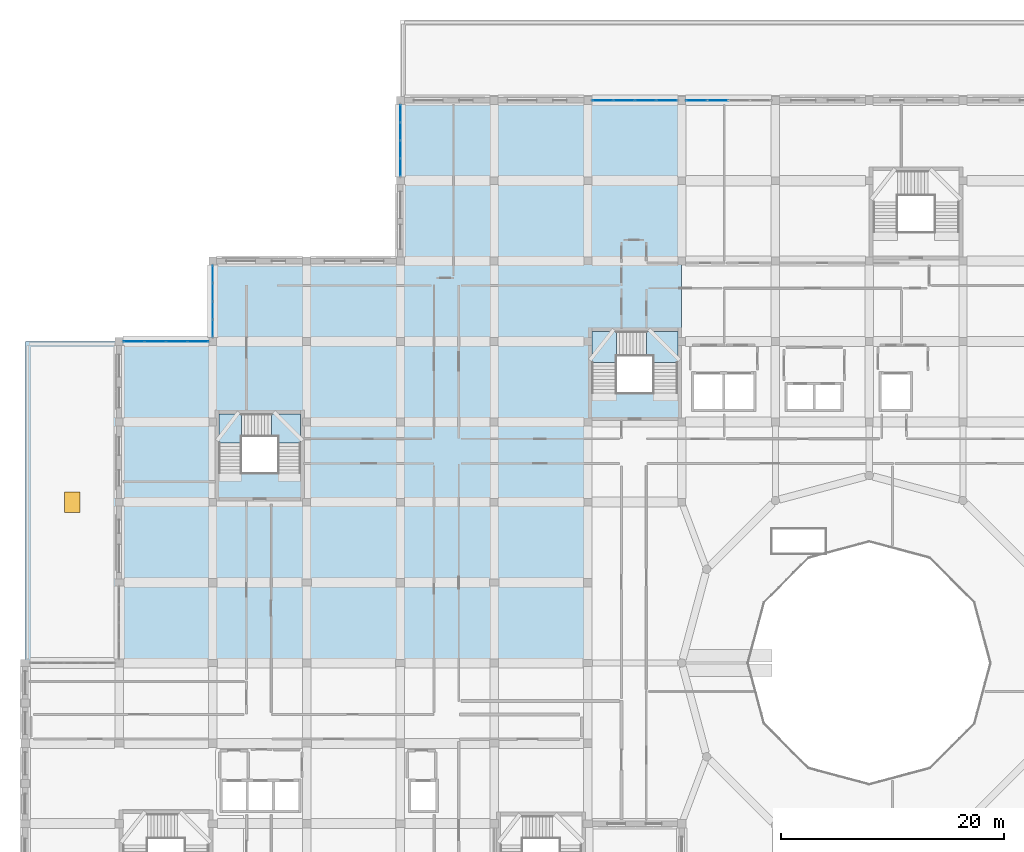
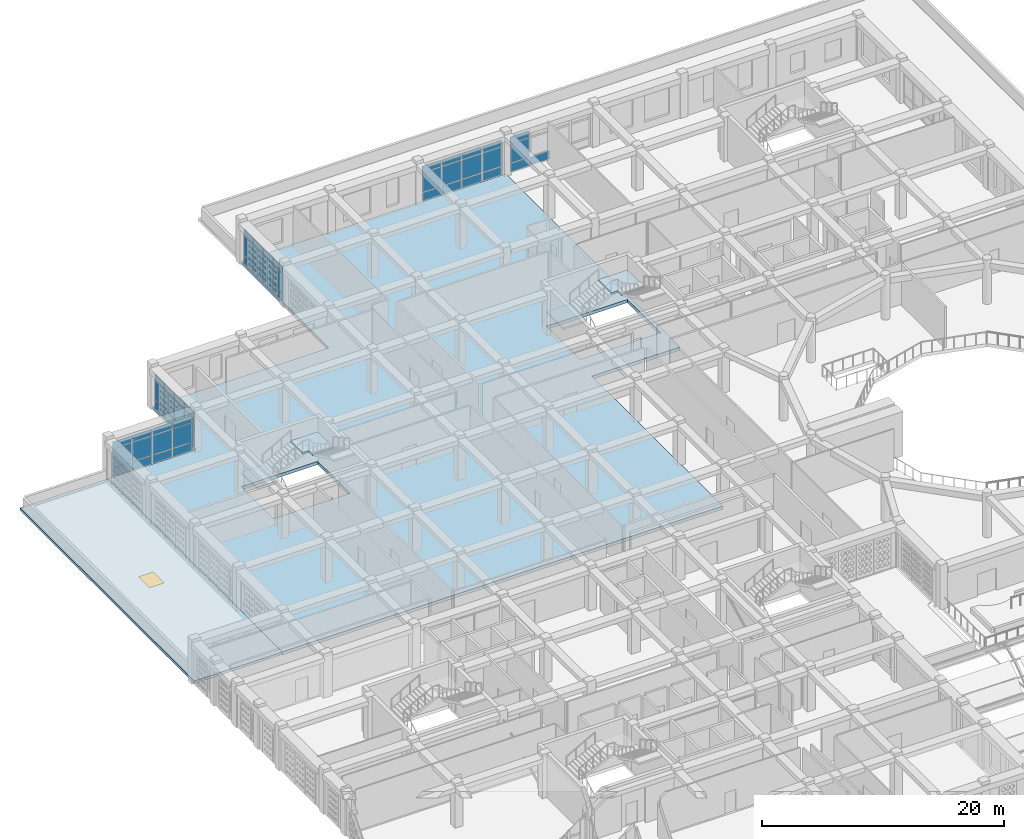
# One storey, part 44 of 100: 52 plates, 6 slabs, 1 window, 1 opening, 7 elements without a shape of their own.
"""IFC4 building model written with IfcOpenShell, lengths in metres."""

from ifc_helpers import new_model, si_unit, derived_unit, direction, frame, origin, origin_2d, place, context, subcontext, project, spatial, polyline, rectangle, outline, extrude, material, layer, layer_set, type_object, element, fill, aggregate, save


model = new_model("IFC4")

# Units and contexts
model_context = context("Model", 3, precision=1e-05, world=origin(), true_north=direction((0.0, 1.0)))
body_context = subcontext(model_context, "Body", "Model", "MODEL_VIEW")
ifc_project = project(units=[si_unit("LENGTHUNIT", "METRE"), si_unit("AREAUNIT", "SQUARE_METRE"), si_unit("VOLUMEUNIT", "CUBIC_METRE"), si_unit("PLANEANGLEUNIT", "RADIAN"), si_unit("MASSUNIT", "GRAM", prefix="KILO"), derived_unit("THERMALTRANSMITTANCEUNIT", [(si_unit("POWERUNIT", "WATT"), 1), (si_unit("LENGTHUNIT", "METRE"), -2), (si_unit("THERMODYNAMICTEMPERATUREUNIT", "KELVIN"), -1)])], contexts=[model_context])

# Site, building, storey
site_placement = place(None, origin())
site = spatial("IfcSite", under=ifc_project, at=site_placement, CompositionType="ELEMENT")
building_placement = place(site_placement, origin())
building = spatial("IfcBuilding", under=site, at=building_placement, Name="Veybourne Emporium", CompositionType="ELEMENT")
storey_placement = place(building_placement, frame((0.0, 0.0, 14.39990234375)))
storey = spatial("IfcBuildingStorey", under=building, at=storey_placement, Name="L03", CompositionType="ELEMENT", Elevation=14.39990234375)

# Curtain wall, plates
ifc_material_1 = material(Name="Patinated Architectural Bronze", Category="bronze")
curtain_wall_type_1 = type_object("IfcCurtainWallType", Name="CWSystem_CWS-09", PredefinedType="NOTDEFINED", material=ifc_material_1)
curtain_wall_1_placement = place(storey_placement, origin())
curtain_wall_1 = element("IfcCurtainWall", 1, at=curtain_wall_1_placement, inside=storey, type_object=curtain_wall_type_1, Name="L03 bronze glazed curtain wall CWS-09 (012)", PredefinedType="NOTDEFINED")
ifc_material_2 = material(Name="Low-E Triple Glazing", Category="glass")
ifc_layer_1 = layer(ifc_material_2, 0.028076171875)
ifc_layer_set_1 = layer_set([ifc_layer_1], Name="Low-E Triple Glazing")
plate_type = type_object("IfcPlateType", Name="CWPanel_CW-P1", PredefinedType="CURTAIN_PANEL", material=ifc_layer_set_1)
plate_1_placement = place(storey_placement, frame((9.73046875, 79.199951171875, 0.072021484375), z_axis=(0.0, 0.0, 1.0), x_axis=(1.0, 0.0, 0.0)))
plate_1 = element("IfcPlate", 2, at=plate_1_placement, type_object=plate_type, Name="CWS-09 panel 1.1", PredefinedType="CURTAIN_PANEL", context=body_context, shape_type="SweptSolid", body=[
    extrude(rectangle(XDim=1.81689453125, YDim=0.028076171875, at=origin_2d()), origin(), (0.0, 0.0, 1.0), 0.7919921875),
])
plate_2_placement = place(storey_placement, frame((9.73046875, 79.199951171875, 0.93603515625), z_axis=(0.0, 0.0, 1.0), x_axis=(1.0, 0.0, 0.0)))
plate_2 = element("IfcPlate", 3, at=plate_2_placement, type_object=plate_type, Name="CWS-09 panel 1.2", PredefinedType="CURTAIN_PANEL", context=body_context, shape_type="SweptSolid", body=[
    extrude(rectangle(XDim=1.81689453125, YDim=0.028076171875, at=origin_2d()), origin(), (0.0, 0.0, 1.0), 1.907958984375),
])
plate_3_placement = place(storey_placement, frame((9.73046875, 79.199951171875, 2.916015625), z_axis=(0.0, 0.0, 1.0), x_axis=(1.0, 0.0, 0.0)))
plate_3 = element("IfcPlate", 4, at=plate_3_placement, type_object=plate_type, Name="CWS-09 panel 1.3", PredefinedType="CURTAIN_PANEL", context=body_context, shape_type="SweptSolid", body=[
    extrude(rectangle(XDim=1.81689453125, YDim=0.028076171875, at=origin_2d()), origin(), (0.0, 0.0, 1.0), 0.64208984375),
])
plate_4_placement = place(storey_placement, frame((11.637451171875, 79.199951171875, 0.072021484375), z_axis=(0.0, 0.0, 1.0), x_axis=(1.0, 0.0, 0.0)))
plate_4 = element("IfcPlate", 5, at=plate_4_placement, type_object=plate_type, Name="CWS-09 panel 2.1", PredefinedType="CURTAIN_PANEL", context=body_context, shape_type="SweptSolid", body=[
    extrude(rectangle(XDim=1.85302734375, YDim=0.028076171875, at=origin_2d()), origin(), (0.0, 0.0, 1.0), 0.7919921875),
])
plate_5_placement = place(storey_placement, frame((11.637451171875, 79.199951171875, 0.93603515625), z_axis=(0.0, 0.0, 1.0), x_axis=(1.0, 0.0, 0.0)))
plate_5 = element("IfcPlate", 6, at=plate_5_placement, type_object=plate_type, Name="CWS-09 panel 2.2", PredefinedType="CURTAIN_PANEL", context=body_context, shape_type="SweptSolid", body=[
    extrude(rectangle(XDim=1.85302734375, YDim=0.028076171875, at=origin_2d()), origin(), (0.0, 0.0, 1.0), 1.907958984375),
])
plate_6_placement = place(storey_placement, frame((11.637451171875, 79.199951171875, 2.916015625), z_axis=(0.0, 0.0, 1.0), x_axis=(1.0, 0.0, 0.0)))
plate_6 = element("IfcPlate", 7, at=plate_6_placement, type_object=plate_type, Name="CWS-09 panel 2.3", PredefinedType="CURTAIN_PANEL", context=body_context, shape_type="SweptSolid", body=[
    extrude(rectangle(XDim=1.85302734375, YDim=0.028076171875, at=origin_2d()), origin(), (0.0, 0.0, 1.0), 0.64208984375),
])
plate_7_placement = place(storey_placement, frame((13.5625, 79.199951171875, 0.072021484375), z_axis=(0.0, 0.0, 1.0), x_axis=(1.0, 0.0, 0.0)))
plate_7 = element("IfcPlate", 8, at=plate_7_placement, type_object=plate_type, Name="CWS-09 panel 3.1", PredefinedType="CURTAIN_PANEL", context=body_context, shape_type="SweptSolid", body=[
    extrude(rectangle(XDim=1.85302734375, YDim=0.028076171875, at=origin_2d()), origin(), (0.0, 0.0, 1.0), 0.7919921875),
])
plate_8_placement = place(storey_placement, frame((13.5625, 79.199951171875, 0.93603515625), z_axis=(0.0, 0.0, 1.0), x_axis=(1.0, 0.0, 0.0)))
plate_8 = element("IfcPlate", 9, at=plate_8_placement, type_object=plate_type, Name="CWS-09 panel 3.2", PredefinedType="CURTAIN_PANEL", context=body_context, shape_type="SweptSolid", body=[
    extrude(rectangle(XDim=1.85302734375, YDim=0.028076171875, at=origin_2d()), origin(), (0.0, 0.0, 1.0), 1.907958984375),
])
plate_9_placement = place(storey_placement, frame((13.5625, 79.199951171875, 2.916015625), z_axis=(0.0, 0.0, 1.0), x_axis=(1.0, 0.0, 0.0)))
plate_9 = element("IfcPlate", 10, at=plate_9_placement, type_object=plate_type, Name="CWS-09 panel 3.3", PredefinedType="CURTAIN_PANEL", context=body_context, shape_type="SweptSolid", body=[
    extrude(rectangle(XDim=1.85302734375, YDim=0.028076171875, at=origin_2d()), origin(), (0.0, 0.0, 1.0), 0.64208984375),
])
plate_10_placement = place(storey_placement, frame((15.469482421875, 79.199951171875, 0.072021484375), z_axis=(0.0, 0.0, 1.0), x_axis=(1.0, 0.0, 0.0)))
plate_10 = element("IfcPlate", 11, at=plate_10_placement, type_object=plate_type, Name="CWS-09 panel 4.1", PredefinedType="CURTAIN_PANEL", context=body_context, shape_type="SweptSolid", body=[
    extrude(rectangle(XDim=1.81689453125, YDim=0.028076171875, at=origin_2d()), origin(), (0.0, 0.0, 1.0), 0.7919921875),
])
plate_11_placement = place(storey_placement, frame((15.469482421875, 79.199951171875, 0.93603515625), z_axis=(0.0, 0.0, 1.0), x_axis=(1.0, 0.0, 0.0)))
plate_11 = element("IfcPlate", 12, at=plate_11_placement, type_object=plate_type, Name="CWS-09 panel 4.2", PredefinedType="CURTAIN_PANEL", context=body_context, shape_type="SweptSolid", body=[
    extrude(rectangle(XDim=1.81689453125, YDim=0.028076171875, at=origin_2d()), origin(), (0.0, 0.0, 1.0), 1.907958984375),
])
plate_12_placement = place(storey_placement, frame((15.469482421875, 79.199951171875, 2.916015625), z_axis=(0.0, 0.0, 1.0), x_axis=(1.0, 0.0, 0.0)))
plate_12 = element("IfcPlate", 13, at=plate_12_placement, type_object=plate_type, Name="CWS-09 panel 4.3", PredefinedType="CURTAIN_PANEL", context=body_context, shape_type="SweptSolid", body=[
    extrude(rectangle(XDim=1.81689453125, YDim=0.028076171875, at=origin_2d()), origin(), (0.0, 0.0, 1.0), 0.64208984375),
])
aggregate(curtain_wall_1, [plate_1, plate_2, plate_3, plate_4, plate_5, plate_6, plate_7, plate_8, plate_9, plate_10, plate_11, plate_12])

curtain_wall_type_2 = type_object("IfcCurtainWallType", Name="CWSystem_CWS-12", PredefinedType="NOTDEFINED", material=ifc_material_1)
curtain_wall_2_placement = place(storey_placement, origin())
curtain_wall_2 = element("IfcCurtainWall", 14, at=curtain_wall_2_placement, inside=storey, type_object=curtain_wall_type_2, Name="L03 bronze glazed curtain wall CWS-12 (018)", PredefinedType="NOTDEFINED")
plate_13_placement = place(storey_placement, frame((16.800048828125, 80.3798828125, 0.070068359375), z_axis=(0.0, 0.0, 1.0), x_axis=(0.0, 1.0, 0.0)))
plate_13 = element("IfcPlate", 15, at=plate_13_placement, type_object=plate_type, Name="CWS-12 panel 1.1", PredefinedType="CURTAIN_PANEL", context=body_context, shape_type="SweptSolid", body=[
    extrude(rectangle(XDim=1.52001953125, YDim=0.028076171875, at=origin_2d()), origin(), (0.0, 0.0, 1.0), 0.794921875),
])
plate_14_placement = place(storey_placement, frame((16.800048828125, 80.3798828125, 0.93505859375), z_axis=(0.0, 0.0, 1.0), x_axis=(0.0, 1.0, 0.0)))
plate_14 = element("IfcPlate", 16, at=plate_14_placement, type_object=plate_type, Name="CWS-12 panel 1.2", PredefinedType="CURTAIN_PANEL", context=body_context, shape_type="SweptSolid", body=[
    extrude(rectangle(XDim=1.52001953125, YDim=0.028076171875, at=origin_2d()), origin(), (0.0, 0.0, 1.0), 1.909912109375),
])
plate_15_placement = place(storey_placement, frame((16.800048828125, 80.3798828125, 2.9150390625), z_axis=(0.0, 0.0, 1.0), x_axis=(0.0, 1.0, 0.0)))
plate_15 = element("IfcPlate", 17, at=plate_15_placement, type_object=plate_type, Name="CWS-12 panel 1.3", PredefinedType="CURTAIN_PANEL", context=body_context, shape_type="SweptSolid", body=[
    extrude(rectangle(XDim=1.52001953125, YDim=0.028076171875, at=origin_2d()), origin(), (0.0, 0.0, 1.0), 0.64501953125),
])
plate_16_placement = place(storey_placement, frame((16.800048828125, 81.987548828125, 0.070068359375), z_axis=(0.0, 0.0, 1.0), x_axis=(0.0, 1.0, 0.0)))
plate_16 = element("IfcPlate", 18, at=plate_16_placement, type_object=plate_type, Name="CWS-12 panel 2.1", PredefinedType="CURTAIN_PANEL", context=body_context, shape_type="SweptSolid", body=[
    extrude(rectangle(XDim=1.554931640625, YDim=0.028076171875, at=origin_2d()), origin(), (0.0, 0.0, 1.0), 0.794921875),
])
plate_17_placement = place(storey_placement, frame((16.800048828125, 81.987548828125, 0.93505859375), z_axis=(0.0, 0.0, 1.0), x_axis=(0.0, 1.0, 0.0)))
plate_17 = element("IfcPlate", 19, at=plate_17_placement, type_object=plate_type, Name="CWS-12 panel 2.2", PredefinedType="CURTAIN_PANEL", context=body_context, shape_type="SweptSolid", body=[
    extrude(rectangle(XDim=1.554931640625, YDim=0.028076171875, at=origin_2d()), origin(), (0.0, 0.0, 1.0), 1.909912109375),
])
plate_18_placement = place(storey_placement, frame((16.800048828125, 81.987548828125, 2.9150390625), z_axis=(0.0, 0.0, 1.0), x_axis=(0.0, 1.0, 0.0)))
plate_18 = element("IfcPlate", 20, at=plate_18_placement, type_object=plate_type, Name="CWS-12 panel 2.3", PredefinedType="CURTAIN_PANEL", context=body_context, shape_type="SweptSolid", body=[
    extrude(rectangle(XDim=1.554931640625, YDim=0.028076171875, at=origin_2d()), origin(), (0.0, 0.0, 1.0), 0.64501953125),
])
plate_19_placement = place(storey_placement, frame((16.800048828125, 83.612548828125, 0.070068359375), z_axis=(0.0, 0.0, 1.0), x_axis=(0.0, 1.0, 0.0)))
plate_19 = element("IfcPlate", 21, at=plate_19_placement, type_object=plate_type, Name="CWS-12 panel 3.1", PredefinedType="CURTAIN_PANEL", context=body_context, shape_type="SweptSolid", body=[
    extrude(rectangle(XDim=1.554931640625, YDim=0.028076171875, at=origin_2d()), origin(), (0.0, 0.0, 1.0), 0.794921875),
])
plate_20_placement = place(storey_placement, frame((16.800048828125, 83.612548828125, 0.93505859375), z_axis=(0.0, 0.0, 1.0), x_axis=(0.0, 1.0, 0.0)))
plate_20 = element("IfcPlate", 22, at=plate_20_placement, type_object=plate_type, Name="CWS-12 panel 3.2", PredefinedType="CURTAIN_PANEL", context=body_context, shape_type="SweptSolid", body=[
    extrude(rectangle(XDim=1.554931640625, YDim=0.028076171875, at=origin_2d()), origin(), (0.0, 0.0, 1.0), 1.909912109375),
])
plate_21_placement = place(storey_placement, frame((16.800048828125, 83.612548828125, 2.9150390625), z_axis=(0.0, 0.0, 1.0), x_axis=(0.0, 1.0, 0.0)))
plate_21 = element("IfcPlate", 23, at=plate_21_placement, type_object=plate_type, Name="CWS-12 panel 3.3", PredefinedType="CURTAIN_PANEL", context=body_context, shape_type="SweptSolid", body=[
    extrude(rectangle(XDim=1.554931640625, YDim=0.028076171875, at=origin_2d()), origin(), (0.0, 0.0, 1.0), 0.64501953125),
])
plate_22_placement = place(storey_placement, frame((16.800048828125, 85.219970703125, 0.070068359375), z_axis=(0.0, 0.0, 1.0), x_axis=(0.0, 1.0, 0.0)))
plate_22 = element("IfcPlate", 24, at=plate_22_placement, type_object=plate_type, Name="CWS-12 panel 4.1", PredefinedType="CURTAIN_PANEL", context=body_context, shape_type="SweptSolid", body=[
    extrude(rectangle(XDim=1.52001953125, YDim=0.028076171875, at=origin_2d()), origin(), (0.0, 0.0, 1.0), 0.794921875),
])
plate_23_placement = place(storey_placement, frame((16.800048828125, 85.219970703125, 0.93505859375), z_axis=(0.0, 0.0, 1.0), x_axis=(0.0, 1.0, 0.0)))
plate_23 = element("IfcPlate", 25, at=plate_23_placement, type_object=plate_type, Name="CWS-12 panel 4.2", PredefinedType="CURTAIN_PANEL", context=body_context, shape_type="SweptSolid", body=[
    extrude(rectangle(XDim=1.52001953125, YDim=0.028076171875, at=origin_2d()), origin(), (0.0, 0.0, 1.0), 1.909912109375),
])
plate_24_placement = place(storey_placement, frame((16.800048828125, 85.219970703125, 2.9150390625), z_axis=(0.0, 0.0, 1.0), x_axis=(0.0, 1.0, 0.0)))
plate_24 = element("IfcPlate", 26, at=plate_24_placement, type_object=plate_type, Name="CWS-12 panel 4.3", PredefinedType="CURTAIN_PANEL", context=body_context, shape_type="SweptSolid", body=[
    extrude(rectangle(XDim=1.52001953125, YDim=0.028076171875, at=origin_2d()), origin(), (0.0, 0.0, 1.0), 0.64501953125),
])
aggregate(curtain_wall_2, [plate_13, plate_14, plate_15, plate_16, plate_17, plate_18, plate_19, plate_20, plate_21, plate_22, plate_23, plate_24])

curtain_wall_type_3 = type_object("IfcCurtainWallType", Name="CWSystem_CWS-14", PredefinedType="NOTDEFINED", material=ifc_material_1)
curtain_wall_3_placement = place(storey_placement, origin())
curtain_wall_3 = element("IfcCurtainWall", 27, at=curtain_wall_3_placement, inside=storey, type_object=curtain_wall_type_3, Name="L03 bronze glazed curtain wall CWS-14 (024)", PredefinedType="NOTDEFINED")
plate_25_placement = place(storey_placement, frame((33.60009765625, 94.78125, 0.074951171875), z_axis=(0.0, 0.0, 1.0), x_axis=(0.0, 1.0, 0.0)))
plate_25 = element("IfcPlate", 28, at=plate_25_placement, type_object=plate_type, Name="CWS-14 panel 1.1", PredefinedType="CURTAIN_PANEL", context=body_context, shape_type="SweptSolid", body=[
    extrude(rectangle(XDim=1.512451171875, YDim=0.028076171875, at=origin_2d()), origin(), (0.0, 0.0, 1.0), 0.78759765625),
])
plate_26_placement = place(storey_placement, frame((33.60009765625, 94.78125, 0.9375), z_axis=(0.0, 0.0, 1.0), x_axis=(0.0, 1.0, 0.0)))
plate_26 = element("IfcPlate", 29, at=plate_26_placement, type_object=plate_type, Name="CWS-14 panel 1.2", PredefinedType="CURTAIN_PANEL", context=body_context, shape_type="SweptSolid", body=[
    extrude(rectangle(XDim=1.512451171875, YDim=0.028076171875, at=origin_2d()), origin(), (0.0, 0.0, 1.0), 1.905029296875),
])
plate_27_placement = place(storey_placement, frame((33.60009765625, 94.78125, 2.91748046875), z_axis=(0.0, 0.0, 1.0), x_axis=(0.0, 1.0, 0.0)))
plate_27 = element("IfcPlate", 30, at=plate_27_placement, type_object=plate_type, Name="CWS-14 panel 1.3", PredefinedType="CURTAIN_PANEL", context=body_context, shape_type="SweptSolid", body=[
    extrude(rectangle(XDim=1.512451171875, YDim=0.028076171875, at=origin_2d()), origin(), (0.0, 0.0, 1.0), 0.637451171875),
])
plate_28_placement = place(storey_placement, frame((33.60009765625, 96.387451171875, 0.074951171875), z_axis=(0.0, 0.0, 1.0), x_axis=(0.0, 1.0, 0.0)))
plate_28 = element("IfcPlate", 31, at=plate_28_placement, type_object=plate_type, Name="CWS-14 panel 2.1", PredefinedType="CURTAIN_PANEL", context=body_context, shape_type="SweptSolid", body=[
    extrude(rectangle(XDim=1.550048828125, YDim=0.028076171875, at=origin_2d()), origin(), (0.0, 0.0, 1.0), 0.78759765625),
])
plate_29_placement = place(storey_placement, frame((33.60009765625, 96.387451171875, 0.9375), z_axis=(0.0, 0.0, 1.0), x_axis=(0.0, 1.0, 0.0)))
plate_29 = element("IfcPlate", 32, at=plate_29_placement, type_object=plate_type, Name="CWS-14 panel 2.2", PredefinedType="CURTAIN_PANEL", context=body_context, shape_type="SweptSolid", body=[
    extrude(rectangle(XDim=1.550048828125, YDim=0.028076171875, at=origin_2d()), origin(), (0.0, 0.0, 1.0), 1.905029296875),
])
plate_30_placement = place(storey_placement, frame((33.60009765625, 96.387451171875, 2.91748046875), z_axis=(0.0, 0.0, 1.0), x_axis=(0.0, 1.0, 0.0)))
plate_30 = element("IfcPlate", 33, at=plate_30_placement, type_object=plate_type, Name="CWS-14 panel 2.3", PredefinedType="CURTAIN_PANEL", context=body_context, shape_type="SweptSolid", body=[
    extrude(rectangle(XDim=1.550048828125, YDim=0.028076171875, at=origin_2d()), origin(), (0.0, 0.0, 1.0), 0.637451171875),
])
plate_31_placement = place(storey_placement, frame((33.60009765625, 98.012451171875, 0.074951171875), z_axis=(0.0, 0.0, 1.0), x_axis=(0.0, 1.0, 0.0)))
plate_31 = element("IfcPlate", 34, at=plate_31_placement, type_object=plate_type, Name="CWS-14 panel 3.1", PredefinedType="CURTAIN_PANEL", context=body_context, shape_type="SweptSolid", body=[
    extrude(rectangle(XDim=1.550048828125, YDim=0.028076171875, at=origin_2d()), origin(), (0.0, 0.0, 1.0), 0.78759765625),
])
plate_32_placement = place(storey_placement, frame((33.60009765625, 98.012451171875, 0.9375), z_axis=(0.0, 0.0, 1.0), x_axis=(0.0, 1.0, 0.0)))
plate_32 = element("IfcPlate", 35, at=plate_32_placement, type_object=plate_type, Name="CWS-14 panel 3.2", PredefinedType="CURTAIN_PANEL", context=body_context, shape_type="SweptSolid", body=[
    extrude(rectangle(XDim=1.550048828125, YDim=0.028076171875, at=origin_2d()), origin(), (0.0, 0.0, 1.0), 1.905029296875),
])
plate_33_placement = place(storey_placement, frame((33.60009765625, 98.012451171875, 2.91748046875), z_axis=(0.0, 0.0, 1.0), x_axis=(0.0, 1.0, 0.0)))
plate_33 = element("IfcPlate", 36, at=plate_33_placement, type_object=plate_type, Name="CWS-14 panel 3.3", PredefinedType="CURTAIN_PANEL", context=body_context, shape_type="SweptSolid", body=[
    extrude(rectangle(XDim=1.550048828125, YDim=0.028076171875, at=origin_2d()), origin(), (0.0, 0.0, 1.0), 0.637451171875),
])
plate_34_placement = place(storey_placement, frame((33.60009765625, 99.61865234375, 0.074951171875), z_axis=(0.0, 0.0, 1.0), x_axis=(0.0, 1.0, 0.0)))
plate_34 = element("IfcPlate", 37, at=plate_34_placement, type_object=plate_type, Name="CWS-14 panel 4.1", PredefinedType="CURTAIN_PANEL", context=body_context, shape_type="SweptSolid", body=[
    extrude(rectangle(XDim=1.512451171875, YDim=0.028076171875, at=origin_2d()), origin(), (0.0, 0.0, 1.0), 0.78759765625),
])
plate_35_placement = place(storey_placement, frame((33.60009765625, 99.61865234375, 0.9375), z_axis=(0.0, 0.0, 1.0), x_axis=(0.0, 1.0, 0.0)))
plate_35 = element("IfcPlate", 38, at=plate_35_placement, type_object=plate_type, Name="CWS-14 panel 4.2", PredefinedType="CURTAIN_PANEL", context=body_context, shape_type="SweptSolid", body=[
    extrude(rectangle(XDim=1.512451171875, YDim=0.028076171875, at=origin_2d()), origin(), (0.0, 0.0, 1.0), 1.905029296875),
])
plate_36_placement = place(storey_placement, frame((33.60009765625, 99.61865234375, 2.91748046875), z_axis=(0.0, 0.0, 1.0), x_axis=(0.0, 1.0, 0.0)))
plate_36 = element("IfcPlate", 39, at=plate_36_placement, type_object=plate_type, Name="CWS-14 panel 4.3", PredefinedType="CURTAIN_PANEL", context=body_context, shape_type="SweptSolid", body=[
    extrude(rectangle(XDim=1.512451171875, YDim=0.028076171875, at=origin_2d()), origin(), (0.0, 0.0, 1.0), 0.637451171875),
])
aggregate(curtain_wall_3, [plate_25, plate_26, plate_27, plate_28, plate_29, plate_30, plate_31, plate_32, plate_33, plate_34, plate_35, plate_36])

curtain_wall_type_4 = type_object("IfcCurtainWallType", Name="CWSystem_CWS-15", PredefinedType="NOTDEFINED", material=ifc_material_1)
curtain_wall_4_placement = place(storey_placement, origin())
curtain_wall_4 = element("IfcCurtainWall", 40, at=curtain_wall_4_placement, inside=storey, type_object=curtain_wall_type_4, Name="L03 bronze glazed curtain wall CWS-15 (033)", PredefinedType="NOTDEFINED")
plate_37_placement = place(storey_placement, frame((51.73193359375, 100.800048828125, 0.078125), z_axis=(0.0, 0.0, 1.0), x_axis=(1.0, 0.0, 0.0)))
plate_37 = element("IfcPlate", 41, at=plate_37_placement, type_object=plate_type, Name="CWS-15 panel 1.1", PredefinedType="CURTAIN_PANEL", context=body_context, shape_type="SweptSolid", body=[
    extrude(rectangle(XDim=1.80810546875, YDim=0.028076171875, at=origin_2d()), origin(), (0.0, 0.0, 1.0), 0.782958984375),
])
plate_38_placement = place(storey_placement, frame((51.73193359375, 100.800048828125, 0.93896484375), z_axis=(0.0, 0.0, 1.0), x_axis=(1.0, 0.0, 0.0)))
plate_38 = element("IfcPlate", 42, at=plate_38_placement, type_object=plate_type, Name="CWS-15 panel 1.2", PredefinedType="CURTAIN_PANEL", context=body_context, shape_type="SweptSolid", body=[
    extrude(rectangle(XDim=1.80810546875, YDim=0.028076171875, at=origin_2d()), origin(), (0.0, 0.0, 1.0), 1.902099609375),
])
plate_39_placement = place(storey_placement, frame((51.73193359375, 100.800048828125, 2.9189453125), z_axis=(0.0, 0.0, 1.0), x_axis=(1.0, 0.0, 0.0)))
plate_39 = element("IfcPlate", 43, at=plate_39_placement, type_object=plate_type, Name="CWS-15 panel 1.3", PredefinedType="CURTAIN_PANEL", context=body_context, shape_type="SweptSolid", body=[
    extrude(rectangle(XDim=1.80810546875, YDim=0.028076171875, at=origin_2d()), origin(), (0.0, 0.0, 1.0), 0.633056640625),
])
plate_40_placement = place(storey_placement, frame((53.637451171875, 100.800048828125, 0.078125), z_axis=(0.0, 0.0, 1.0), x_axis=(1.0, 0.0, 0.0)))
plate_40 = element("IfcPlate", 44, at=plate_40_placement, type_object=plate_type, Name="CWS-15 panel 2.1", PredefinedType="CURTAIN_PANEL", context=body_context, shape_type="SweptSolid", body=[
    extrude(rectangle(XDim=1.846923828125, YDim=0.028076171875, at=origin_2d()), origin(), (0.0, 0.0, 1.0), 0.782958984375),
])
plate_41_placement = place(storey_placement, frame((53.637451171875, 100.800048828125, 0.93896484375), z_axis=(0.0, 0.0, 1.0), x_axis=(1.0, 0.0, 0.0)))
plate_41 = element("IfcPlate", 45, at=plate_41_placement, type_object=plate_type, Name="CWS-15 panel 2.2", PredefinedType="CURTAIN_PANEL", context=body_context, shape_type="SweptSolid", body=[
    extrude(rectangle(XDim=1.846923828125, YDim=0.028076171875, at=origin_2d()), origin(), (0.0, 0.0, 1.0), 1.902099609375),
])
plate_42_placement = place(storey_placement, frame((53.637451171875, 100.800048828125, 2.9189453125), z_axis=(0.0, 0.0, 1.0), x_axis=(1.0, 0.0, 0.0)))
plate_42 = element("IfcPlate", 46, at=plate_42_placement, type_object=plate_type, Name="CWS-15 panel 2.3", PredefinedType="CURTAIN_PANEL", context=body_context, shape_type="SweptSolid", body=[
    extrude(rectangle(XDim=1.846923828125, YDim=0.028076171875, at=origin_2d()), origin(), (0.0, 0.0, 1.0), 0.633056640625),
])
plate_43_placement = place(storey_placement, frame((55.5625, 100.800048828125, 0.078125), z_axis=(0.0, 0.0, 1.0), x_axis=(1.0, 0.0, 0.0)))
plate_43 = element("IfcPlate", 47, at=plate_43_placement, type_object=plate_type, Name="CWS-15 panel 3.1", PredefinedType="CURTAIN_PANEL", context=body_context, shape_type="SweptSolid", body=[
    extrude(rectangle(XDim=1.846923828125, YDim=0.028076171875, at=origin_2d()), origin(), (0.0, 0.0, 1.0), 0.782958984375),
])
plate_44_placement = place(storey_placement, frame((55.5625, 100.800048828125, 0.93896484375), z_axis=(0.0, 0.0, 1.0), x_axis=(1.0, 0.0, 0.0)))
plate_44 = element("IfcPlate", 48, at=plate_44_placement, type_object=plate_type, Name="CWS-15 panel 3.2", PredefinedType="CURTAIN_PANEL", context=body_context, shape_type="SweptSolid", body=[
    extrude(rectangle(XDim=1.846923828125, YDim=0.028076171875, at=origin_2d()), origin(), (0.0, 0.0, 1.0), 1.902099609375),
])
plate_45_placement = place(storey_placement, frame((55.5625, 100.800048828125, 2.9189453125), z_axis=(0.0, 0.0, 1.0), x_axis=(1.0, 0.0, 0.0)))
plate_45 = element("IfcPlate", 49, at=plate_45_placement, type_object=plate_type, Name="CWS-15 panel 3.3", PredefinedType="CURTAIN_PANEL", context=body_context, shape_type="SweptSolid", body=[
    extrude(rectangle(XDim=1.846923828125, YDim=0.028076171875, at=origin_2d()), origin(), (0.0, 0.0, 1.0), 0.633056640625),
])
plate_46_placement = place(storey_placement, frame((57.468017578125, 100.800048828125, 0.078125), z_axis=(0.0, 0.0, 1.0), x_axis=(1.0, 0.0, 0.0)))
plate_46 = element("IfcPlate", 50, at=plate_46_placement, type_object=plate_type, Name="CWS-15 panel 4.1", PredefinedType="CURTAIN_PANEL", context=body_context, shape_type="SweptSolid", body=[
    extrude(rectangle(XDim=1.80810546875, YDim=0.028076171875, at=origin_2d()), origin(), (0.0, 0.0, 1.0), 0.782958984375),
])
plate_47_placement = place(storey_placement, frame((57.468017578125, 100.800048828125, 0.93896484375), z_axis=(0.0, 0.0, 1.0), x_axis=(1.0, 0.0, 0.0)))
plate_47 = element("IfcPlate", 51, at=plate_47_placement, type_object=plate_type, Name="CWS-15 panel 4.2", PredefinedType="CURTAIN_PANEL", context=body_context, shape_type="SweptSolid", body=[
    extrude(rectangle(XDim=1.80810546875, YDim=0.028076171875, at=origin_2d()), origin(), (0.0, 0.0, 1.0), 1.902099609375),
])
plate_48_placement = place(storey_placement, frame((57.468017578125, 100.800048828125, 2.9189453125), z_axis=(0.0, 0.0, 1.0), x_axis=(1.0, 0.0, 0.0)))
plate_48 = element("IfcPlate", 52, at=plate_48_placement, type_object=plate_type, Name="CWS-15 panel 4.3", PredefinedType="CURTAIN_PANEL", context=body_context, shape_type="SweptSolid", body=[
    extrude(rectangle(XDim=1.80810546875, YDim=0.028076171875, at=origin_2d()), origin(), (0.0, 0.0, 1.0), 0.633056640625),
])
aggregate(curtain_wall_4, [plate_37, plate_38, plate_39, plate_40, plate_41, plate_42, plate_43, plate_44, plate_45, plate_46, plate_47, plate_48])

curtain_wall_type_5 = type_object("IfcCurtainWallType", Name="CWSystem_CWS-16", PredefinedType="NOTDEFINED", material=ifc_material_1)
curtain_wall_5_placement = place(storey_placement, origin())
curtain_wall_5 = element("IfcCurtainWall", 53, at=curtain_wall_5_placement, inside=storey, type_object=curtain_wall_type_5, Name="L03 bronze glazed curtain wall CWS-16 (036)", PredefinedType="NOTDEFINED")
plate_49_placement = place(storey_placement, frame((60.1298828125, 100.800048828125, 0.070068359375), z_axis=(0.0, 0.0, 1.0), x_axis=(1.0, 0.0, 0.0)))
plate_49 = element("IfcPlate", 54, at=plate_49_placement, type_object=plate_type, Name="CWS-16 panel 1.1", PredefinedType="CURTAIN_PANEL", context=body_context, shape_type="SweptSolid", body=[
    extrude(rectangle(XDim=1.820068359375, YDim=0.028076171875, at=origin_2d()), origin(), (0.0, 0.0, 1.0), 0.794921875),
])
plate_50_placement = place(storey_placement, frame((60.1298828125, 100.800048828125, 0.93505859375), z_axis=(0.0, 0.0, 1.0), x_axis=(1.0, 0.0, 0.0)))
plate_50 = element("IfcPlate", 55, at=plate_50_placement, type_object=plate_type, Name="CWS-16 panel 1.2", PredefinedType="CURTAIN_PANEL", context=body_context, shape_type="SweptSolid", body=[
    extrude(rectangle(XDim=1.820068359375, YDim=0.028076171875, at=origin_2d()), origin(), (0.0, 0.0, 1.0), 1.909912109375),
])
plate_51_placement = place(storey_placement, frame((60.1298828125, 100.800048828125, 2.9150390625), z_axis=(0.0, 0.0, 1.0), x_axis=(1.0, 0.0, 0.0)))
plate_51 = element("IfcPlate", 56, at=plate_51_placement, type_object=plate_type, Name="CWS-16 panel 1.3", PredefinedType="CURTAIN_PANEL", context=body_context, shape_type="SweptSolid", body=[
    extrude(rectangle(XDim=1.820068359375, YDim=0.028076171875, at=origin_2d()), origin(), (0.0, 0.0, 1.0), 0.64501953125),
])
plate_52_placement = place(storey_placement, frame((62.03759765625, 100.800048828125, 0.070068359375), z_axis=(0.0, 0.0, 1.0), x_axis=(1.0, 0.0, 0.0)))
plate_52 = element("IfcPlate", 57, at=plate_52_placement, type_object=plate_type, Name="CWS-16 panel 2.1", PredefinedType="CURTAIN_PANEL", context=body_context, shape_type="SweptSolid", body=[
    extrude(rectangle(XDim=1.85498046875, YDim=0.028076171875, at=origin_2d()), origin(), (0.0, 0.0, 1.0), 0.794921875),
])
aggregate(curtain_wall_5, [plate_49, plate_50, plate_51, plate_52])

# Stair, slabs
ifc_material_3 = material(Name="Concrete C32/40", Category="concrete")
stair_type_1 = type_object("IfcStairType", Name="Stair_ST-03-R30", PredefinedType="TWO_QUARTER_TURN_STAIR", material=ifc_material_3)
stair_1_placement = place(storey_placement, origin())
stair_1 = element("IfcStair", 58, at=stair_1_placement, inside=storey, type_object=stair_type_1, Name="L03 stair ST-03", PredefinedType="TWO_QUARTER_TURN_STAIR")
ifc_layer_2 = layer(ifc_material_3, 0.199951171875)
ifc_layer_set_2 = layer_set([ifc_layer_2], Name="Concrete C32/40")
slab_type_1 = type_object("IfcSlabType", Name="Landing_LDG-01", PredefinedType="LANDING", material=ifc_layer_set_2)
slab_1_placement = place(storey_placement, frame((0.0, 0.0, 1.300048828125)))
slab_1 = element("IfcSlab", 59, at=slab_1_placement, type_object=slab_type_1, Name="ST-03-R30 landing 1", PredefinedType="LANDING", context=body_context, shape_type="SweptSolid", body=[
    extrude(outline(polyline([(50.75, 77.300048828125), (52.949951171875, 77.300048828125), (52.949951171875, 80.10009765625), (50.75, 80.10009765625), (50.75, 77.300048828125)])), origin(), (0.0, 0.0, 1.0), 0.199951171875),
])
slab_2_placement = place(storey_placement, frame((0.0, 0.0, 2.800048828125)))
slab_2 = element("IfcSlab", 60, at=slab_2_placement, type_object=slab_type_1, Name="ST-03-R30 landing 2", PredefinedType="LANDING", context=body_context, shape_type="SweptSolid", body=[
    extrude(outline(polyline([(55.64990234375, 77.89990234375), (56.25, 77.89990234375), (56.25, 77.300048828125), (58.449951171875, 77.300048828125), (58.449951171875, 80.10009765625), (55.64990234375, 80.10009765625), (55.64990234375, 77.89990234375)])), origin(), (0.0, 0.0, 1.0), 0.199951171875),
])
aggregate(stair_1, [slab_1, slab_2])

stair_type_2 = type_object("IfcStairType", Name="Stair_ST-08-R30", PredefinedType="TWO_QUARTER_TURN_STAIR", material=ifc_material_3)
stair_2_placement = place(storey_placement, origin())
stair_2 = element("IfcStair", 61, at=stair_2_placement, inside=storey, type_object=stair_type_2, Name="L03 stair ST-08", PredefinedType="TWO_QUARTER_TURN_STAIR")
slab_3_placement = place(storey_placement, frame((0.0, 0.0, 1.300048828125)))
slab_3 = element("IfcSlab", 62, at=slab_3_placement, type_object=slab_type_1, Name="ST-08-R30 landing 1", PredefinedType="LANDING", context=body_context, shape_type="SweptSolid", body=[
    extrude(outline(polyline([(17.35009765625, 70.10009765625), (19.35009765625, 70.10009765625), (19.35009765625, 72.699951171875), (17.35009765625, 72.699951171875), (17.35009765625, 70.10009765625)])), origin(), (0.0, 0.0, 1.0), 0.199951171875),
])
slab_4_placement = place(storey_placement, frame((0.0, 0.0, 2.800048828125)))
slab_4 = element("IfcSlab", 63, at=slab_4_placement, type_object=slab_type_1, Name="ST-08-R30 landing 2", PredefinedType="LANDING", context=body_context, shape_type="SweptSolid", body=[
    extrude(outline(polyline([(22.050048828125, 70.699951171875), (22.64990234375, 70.699951171875), (22.64990234375, 70.10009765625), (24.64990234375, 70.10009765625), (24.64990234375, 72.699951171875), (22.050048828125, 72.699951171875), (22.050048828125, 70.699951171875)])), origin(), (0.0, 0.0, 1.0), 0.199951171875),
])
aggregate(stair_2, [slab_3, slab_4])

# Slab
ifc_layer_3 = layer(ifc_material_3, 0.320068359375)
ifc_layer_set_3 = layer_set([ifc_layer_3], Name="Concrete C32/40")
slab_type_2 = type_object("IfcSlabType", Name="Slab_FS-02", PredefinedType="FLOOR", material=ifc_layer_set_3)
slab_5_placement = place(storey_placement, frame((0.0, 0.0, -0.31982421875)))
element("IfcSlab", 64, at=slab_5_placement, inside=storey, type_object=slab_type_2, Name="L03 floor slab FS-02 (V5W.1)", PredefinedType="FLOOR", context=body_context, shape_type="SweptSolid", body=[
    extrude(outline(polyline([(16.800048828125, 79.199951171875), (16.800048828125, 86.39990234375), (25.199951171875, 86.39990234375), (33.60009765625, 86.39990234375), (33.60009765625, 93.60009765625), (33.60009765625, 100.800048828125), (42.0, 100.800048828125), (50.39990234375, 100.800048828125), (58.800048828125, 100.800048828125), (58.800048828125, 93.60009765625), (58.800048828125, 86.39990234375), (58.800048828125, 79.199951171875), (58.800048828125, 72.0), (50.39990234375, 72.0), (50.39990234375, 64.800048828125), (50.39990234375, 57.60009765625), (50.39990234375, 50.39990234375), (42.0, 50.39990234375), (33.60009765625, 50.39990234375), (25.199951171875, 50.39990234375), (16.800048828125, 50.39990234375), (8.39990234375, 50.39990234375), (8.39990234375, 57.60009765625), (8.39990234375, 64.800048828125), (8.39990234375, 72.0), (8.39990234375, 79.199951171875), (16.800048828125, 79.199951171875)]), holes=[polyline([(17.35009765625, 67.39990234375), (24.64990234375, 67.39990234375), (24.64990234375, 72.699951171875), (17.35009765625, 72.699951171875), (17.35009765625, 67.39990234375)]), polyline([(50.75, 74.60009765625), (58.449951171875, 74.60009765625), (58.449951171875, 80.10009765625), (50.75, 80.10009765625), (50.75, 74.60009765625)])]), origin(), (0.0, 0.0, 1.0), 0.31982421875),
])

# Slab, opening, window
ifc_layer_4 = layer(ifc_material_3, 0.260009765625)
ifc_layer_set_4 = layer_set([ifc_layer_4], Name="Concrete C32/40")
slab_type_3 = type_object("IfcSlabType", Name="Slab_RS-01", PredefinedType="ROOF", material=ifc_layer_set_4)
slab_6_placement = place(storey_placement, frame((0.0, 0.0, -0.260009765625)))
slab_6 = element("IfcSlab", 65, at=slab_6_placement, inside=storey, type_object=slab_type_3, Name="L03 flat roof slab 2", PredefinedType="ROOF", context=body_context, shape_type="SweptSolid", body=[
    extrude(outline(polyline([(0.0, 79.199951171875), (8.39990234375, 79.199951171875), (8.39990234375, 72.0), (8.39990234375, 64.800048828125), (8.39990234375, 57.60009765625), (8.39990234375, 50.39990234375), (0.0, 50.39990234375), (0.0, 57.60009765625), (0.0, 64.800048828125), (0.0, 72.0), (0.0, 79.199951171875)])), origin(), (0.0, 0.0, 1.0), 0.260009765625),
])
opening_placement = place(slab_6_placement, frame((4.199951171875, 64.800048828125, -0.02001953125)))
opening = element("IfcOpeningElement", 66, at=opening_placement, cuts=slab_6, Name="Opening RH-02", PredefinedType="OPENING", context=body_context, shape_type="SweptSolid", body=[
    extrude(rectangle(XDim=1.39990234375, YDim=1.800048828125, at=origin_2d()), origin(), (0.0, 0.0, 1.0), 0.300048828125),
])
ifc_material_4 = material(Name="Solar Control Laminated Glass", Category="glass")
window_type = type_object("IfcWindowType", Name="Hatch_RH-02", PartitioningType="SINGLE_PANEL", PredefinedType="SKYLIGHT", material=ifc_material_4)
window_placement = place(slab_6_placement, frame((4.199951171875, 64.800048828125, 0.2099609375)))
window = element("IfcWindow", 67, at=window_placement, inside=storey, type_object=window_type, Name="L03 roof access skylight hatch RH-02", OverallHeight=1.800048828125, OverallWidth=1.39990234375, PartitioningType="SINGLE_PANEL", PredefinedType="SKYLIGHT", context=body_context, shape_type="SweptSolid", body=[
    extrude(rectangle(XDim=1.39990234375, YDim=1.800048828125, at=origin_2d()), origin(), (0.0, 0.0, 1.0), 0.050048828125),
])
fill(opening, window)

save(model, "model.ifc")
